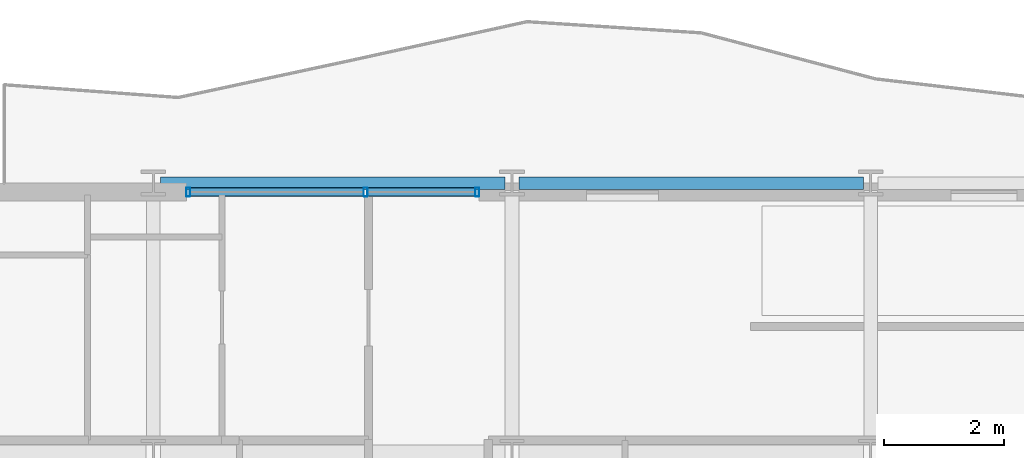
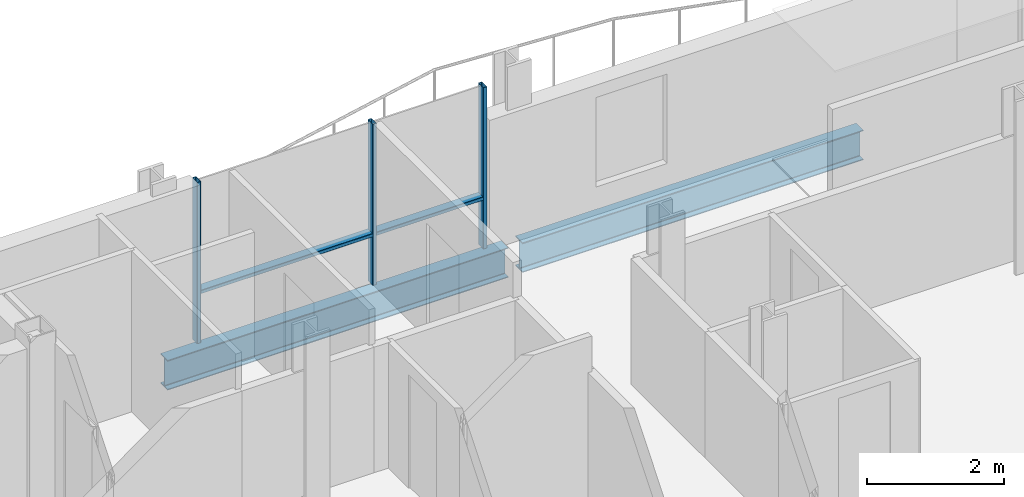
# One storey, part 21 of 41: 5 members, 2 beams, 1 element without a shape of its own.
"""IFC4 building model written with IfcOpenShell, lengths in metres."""

from ifc_helpers import new_model, si_unit, direction, frame, origin, origin_2d, place, context, subcontext, project, spatial, hollow_rectangle, i_section, extrude, material, layer, layer_set, material_profile, profile_set, type_object, element, aggregate, save


model = new_model("IFC4")

# Units and contexts
model_context = context("Model", 3, precision=1e-05, world=origin(), true_north=direction((0.0, 1.0)))
body_context = subcontext(model_context, "Body", "Model", "MODEL_VIEW")
ifc_project = project(units=[si_unit("LENGTHUNIT", "METRE"), si_unit("AREAUNIT", "SQUARE_METRE"), si_unit("VOLUMEUNIT", "CUBIC_METRE"), si_unit("PLANEANGLEUNIT", "RADIAN"), si_unit("MASSUNIT", "GRAM", prefix="KILO")], contexts=[model_context])

# Site, building, storey
site_placement = place(None, origin())
site = spatial("IfcSite", under=ifc_project, at=site_placement, CompositionType="ELEMENT")
building_placement = place(site_placement, origin())
building = spatial("IfcBuilding", under=site, at=building_placement, Name="Brevholm Reach", CompositionType="ELEMENT")
storey_placement = place(building_placement, frame((0.0, 0.0, 112.800048828125)))
storey = spatial("IfcBuildingStorey", under=building, at=storey_placement, Name="L33", CompositionType="ELEMENT", Elevation=112.800048828125)

# Beams
ifc_material_1 = material(Name="Structural Steel S355J2", Category="steel")
ifc_material_profile_1 = material_profile(ifc_material_1, i_section(OverallWidth=0.209228515625, OverallDepth=0.533203125, WebThickness=0.010009765625, FlangeThickness=0.015625, FilletRadius=0.0126953125, at=origin_2d()), Name="UKB 533x210x92")
ifc_profile_set_1 = profile_set([ifc_material_profile_1], Name="Structural Steel S355J2")
beam_type = type_object("IfcBeamType", Name="BM-SP533", PredefinedType="SPANDREL", material=ifc_profile_set_1)
for number, where, z_axis, x_axis, name in (
    (1, (6.1201171875, 31.0, -0.486572265625), (1.0, 0.0, 0.0), (0.0, 1.0, 0.0), "L33 SP-02 Framing Beam"),
    (2, (12.1201171875, 31.0, -0.486572265625), (1.0, 0.0, 0.0), (0.0, 1.0, 0.0), "L33 SP-02 Framing Beam"),
):
    element("IfcBeam", number, at=place(storey_placement, frame(where, z_axis=z_axis, x_axis=x_axis)), inside=storey, type_object=beam_type, Name=name, PredefinedType="SPANDREL", context=body_context, shape_type="SweptSolid", body=[
        extrude(i_section(OverallWidth=0.209228515625, OverallDepth=0.533203125, WebThickness=0.010009765625, FlangeThickness=0.015625, FilletRadius=0.0126953125, at=origin_2d()), origin(), (0.0, 0.0, 1.0), 5.759765625),
    ])

# Curtain wall, members
ifc_material_2 = material(Name="Dark Anodised Aluminium 6063-T6 and Solar-Control Glass", Category="aluminium")
ifc_layer = layer(ifc_material_2, 0.14990234375)
ifc_layer_set = layer_set([ifc_layer], Name="Dark Anodised Aluminium 6063-T6 and Solar-Control Glass")
curtain_wall_type = type_object("IfcCurtainWallType", Name="CW-01", PredefinedType="NOTDEFINED", material=ifc_layer_set)
curtain_wall_placement = place(storey_placement, origin())
curtain_wall = element("IfcCurtainWall", 3, at=curtain_wall_placement, inside=storey, type_object=curtain_wall_type, Name="L33 Curtain Wall CW-01", PredefinedType="NOTDEFINED")
ifc_material_3 = material(Name="Dark Anodised Aluminium 6063-T6", Category="aluminium")
ifc_material_profile_2 = material_profile(ifc_material_3, hollow_rectangle(XDim=0.06494140625, YDim=0.14990234375, WallThickness=0.0048828125, InnerFilletRadius=0.0048828125, OuterFilletRadius=0.010009765625, at=origin_2d()), Name="RHS 150x65x5")
ifc_profile_set_2 = profile_set([ifc_material_profile_2], Name="Dark Anodised Aluminium 6063-T6")
member_type_1 = type_object("IfcMemberType", Name="CWM-150", PredefinedType="MULLION", material=ifc_profile_set_2)
member_1_placement = place(storey_placement, frame((6.58251953125, 30.85009765625, 0.0), z_axis=(0.0, 0.0, 1.0), x_axis=(1.0, 0.0, 0.0)))
member_1 = element("IfcMember", 4, at=member_1_placement, type_object=member_type_1, Name="CM-150 Mullion 1", PredefinedType="MULLION", context=body_context, shape_type="SweptSolid", body=[
    extrude(hollow_rectangle(XDim=0.06494140625, YDim=0.14990234375, WallThickness=0.0048828125, InnerFilletRadius=0.0048828125, OuterFilletRadius=0.010009765625, at=origin_2d()), origin(), (0.0, 0.0, 1.0), 2.8798828125),
])
member_2_placement = place(storey_placement, frame((9.550048828125, 30.85009765625, 0.0), z_axis=(0.0, 0.0, 1.0), x_axis=(1.0, 0.0, 0.0)))
member_2 = element("IfcMember", 5, at=member_2_placement, type_object=member_type_1, Name="CM-150 Mullion 2", PredefinedType="MULLION", context=body_context, shape_type="SweptSolid", body=[
    extrude(hollow_rectangle(XDim=0.06494140625, YDim=0.14990234375, WallThickness=0.0048828125, InnerFilletRadius=0.0048828125, OuterFilletRadius=0.010009765625, at=origin_2d()), origin(), (0.0, 0.0, 1.0), 2.8798828125),
])
member_3_placement = place(storey_placement, frame((11.41748046875, 30.85009765625, 0.0), z_axis=(0.0, 0.0, 1.0), x_axis=(1.0, 0.0, 0.0)))
member_3 = element("IfcMember", 6, at=member_3_placement, type_object=member_type_1, Name="CM-150 Mullion 3", PredefinedType="MULLION", context=body_context, shape_type="SweptSolid", body=[
    extrude(hollow_rectangle(XDim=0.06494140625, YDim=0.14990234375, WallThickness=0.0048828125, InnerFilletRadius=0.0048828125, OuterFilletRadius=0.010009765625, at=origin_2d()), origin(), (0.0, 0.0, 1.0), 2.8798828125),
])
ifc_material_4 = material(Name="Dark Anodised Aluminium 6063-T6", Category="aluminium")
ifc_material_profile_3 = material_profile(ifc_material_4, hollow_rectangle(XDim=0.06494140625, YDim=0.14990234375, WallThickness=0.0048828125, InnerFilletRadius=0.0048828125, OuterFilletRadius=0.010009765625, at=origin_2d()), Name="RHS 150x65x5")
ifc_profile_set_3 = profile_set([ifc_material_profile_3], Name="Dark Anodised Aluminium 6063-T6")
member_type_2 = type_object("IfcMemberType", Name="CWT-150", PredefinedType="NOTDEFINED", material=ifc_profile_set_3)
member_4_placement = place(storey_placement, frame((6.614990234375, 30.85009765625, 0.89990234375), z_axis=(1.0, 0.0, 0.0), x_axis=(0.0, 0.0, 1.0)))
member_4 = element("IfcMember", 7, at=member_4_placement, type_object=member_type_2, Name="CT-150 Transom 1.1", ObjectType="TRANSOM", PredefinedType="USERDEFINED", context=body_context, shape_type="SweptSolid", body=[
    extrude(hollow_rectangle(XDim=0.06494140625, YDim=0.14990234375, WallThickness=0.0048828125, InnerFilletRadius=0.0048828125, OuterFilletRadius=0.010009765625, at=origin_2d()), origin(), (0.0, 0.0, 1.0), 2.902587890625),
])
member_5_placement = place(storey_placement, frame((9.58251953125, 30.85009765625, 0.89990234375), z_axis=(1.0, 0.0, 0.0), x_axis=(0.0, 0.0, 1.0)))
member_5 = element("IfcMember", 8, at=member_5_placement, type_object=member_type_2, Name="CT-150 Transom 2.1", ObjectType="TRANSOM", PredefinedType="USERDEFINED", context=body_context, shape_type="SweptSolid", body=[
    extrude(hollow_rectangle(XDim=0.06494140625, YDim=0.14990234375, WallThickness=0.0048828125, InnerFilletRadius=0.0048828125, OuterFilletRadius=0.010009765625, at=origin_2d()), origin(), (0.0, 0.0, 1.0), 1.802490234375),
])
aggregate(curtain_wall, [member_1, member_2, member_3, member_4, member_5])

save(model, "model.ifc")
